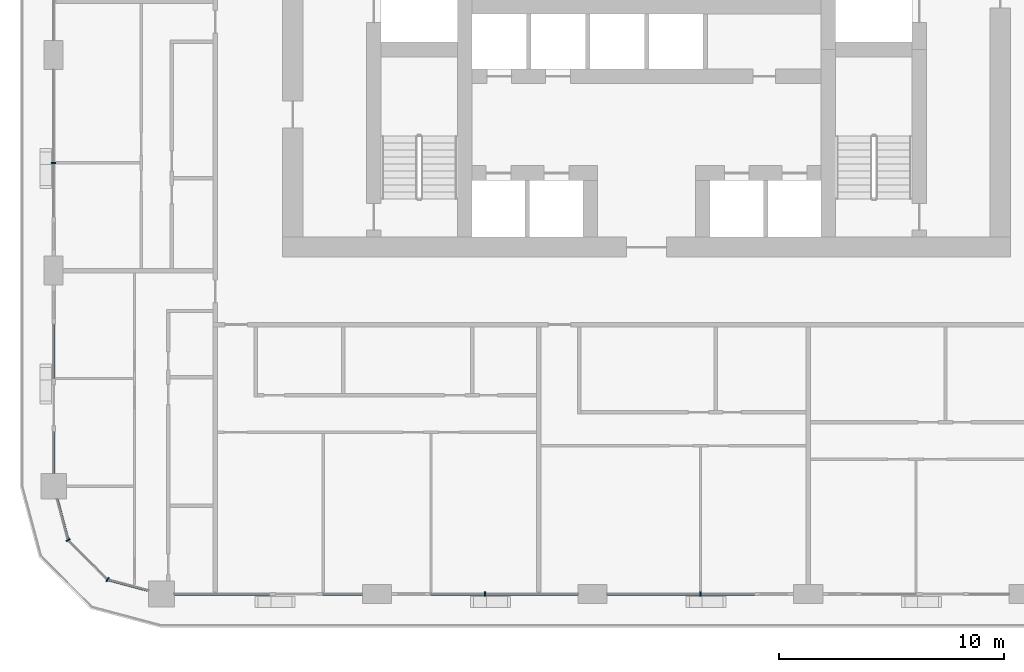
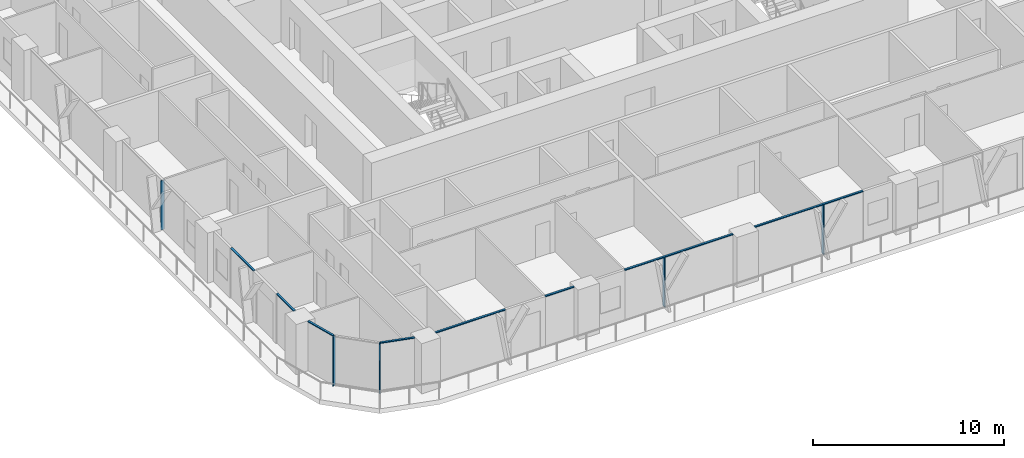
# One storey, part 2 of 22: 13 members, 6 elements without a shape of their own.
"""IFC4 building model written with IfcOpenShell, lengths in metres."""

from ifc_helpers import new_model, si_unit, direction, frame, origin, origin_2d, place, context, subcontext, project, spatial, rectangle, extrude, material, layer, layer_set, material_profile, profile_set, type_object, element, aggregate, save


model = new_model("IFC4")

# Units and contexts
model_context = context("Model", 3, precision=1e-05, world=origin(), true_north=direction((0.0, 1.0)))
body_context = subcontext(model_context, "Body", "Model", "MODEL_VIEW")
ifc_project = project(units=[si_unit("LENGTHUNIT", "METRE"), si_unit("AREAUNIT", "SQUARE_METRE"), si_unit("VOLUMEUNIT", "CUBIC_METRE"), si_unit("PLANEANGLEUNIT", "RADIAN"), si_unit("MASSUNIT", "GRAM", prefix="KILO")], contexts=[model_context])

# Site, building, storey
site_placement = place(None, origin())
site = spatial("IfcSite", under=ifc_project, at=site_placement, CompositionType="ELEMENT")
building_placement = place(site_placement, origin())
building = spatial("IfcBuilding", under=site, at=building_placement, Name="Madar Terraces", CompositionType="ELEMENT")
storey_placement = place(building_placement, frame((0.0, 0.0, 73.300048828125)))
storey = spatial("IfcBuildingStorey", under=building, at=storey_placement, Name="L18", CompositionType="ELEMENT", Elevation=73.300048828125)

# Curtain wall, member
ifc_material_1 = material(Name="Glass, ceramic frit dark grey, with black aluminium frame", Category="aluminium")
ifc_layer = layer(ifc_material_1, 0.199951171875)
ifc_layer_set = layer_set([ifc_layer], Name="Facade curtain wall, fritted glass")
curtain_wall_type = type_object("IfcCurtainWallType", Name="Facade curtain wall, fritted glass", PredefinedType="NOTDEFINED", material=ifc_layer_set)
curtain_wall_1_placement = place(storey_placement, origin())
curtain_wall_1 = element("IfcCurtainWall", 1, at=curtain_wall_1_placement, inside=storey, type_object=curtain_wall_type, Name="Outer skin curtain wall south bay 2", PredefinedType="NOTDEFINED")
ifc_material_2 = material(Name="Aluminium, black anodised", Category="aluminium")
ifc_material_profile_1 = material_profile(ifc_material_2, rectangle(XDim=0.199951171875, YDim=0.06005859375, at=origin_2d()), Name="Facade mullion 60x200")
ifc_profile_set_1 = profile_set([ifc_material_profile_1], Name="Aluminium, black anodised")
member_type_1 = type_object("IfcMemberType", Name="Facade mullion 60x200", PredefinedType="MULLION", material=ifc_profile_set_1)
member_1_placement = place(storey_placement, frame((24.0, 0.0, 0.0), z_axis=(0.0, 0.0, 1.0), x_axis=(0.0, 1.0, 0.0)))
member_1 = element("IfcMember", 2, at=member_1_placement, type_object=member_type_1, Name="Mullion 1", PredefinedType="MULLION", context=body_context, shape_type="SweptSolid", body=[
    extrude(rectangle(XDim=0.199951171875, YDim=0.06005859375, at=origin_2d()), origin(), (0.0, 0.0, 1.0), 3.139892578125),
])

curtain_wall_2_placement = place(storey_placement, origin())
curtain_wall_2 = element("IfcCurtainWall", 3, at=curtain_wall_2_placement, inside=storey, type_object=curtain_wall_type, Name="Outer skin curtain wall south bay 3", PredefinedType="NOTDEFINED")
member_2_placement = place(storey_placement, frame((33.60009765625, 0.0, 0.0), z_axis=(0.0, 0.0, 1.0), x_axis=(0.0, 1.0, 0.0)))
member_2 = element("IfcMember", 4, at=member_2_placement, type_object=member_type_1, Name="Mullion 1", PredefinedType="MULLION", context=body_context, shape_type="SweptSolid", body=[
    extrude(rectangle(XDim=0.199951171875, YDim=0.06005859375, at=origin_2d()), origin(), (0.0, 0.0, 1.0), 3.139892578125),
])

curtain_wall_3_placement = place(storey_placement, origin())
curtain_wall_3 = element("IfcCurtainWall", 5, at=curtain_wall_3_placement, inside=storey, type_object=curtain_wall_type, Name="Outer skin curtain wall west bay 3", PredefinedType="NOTDEFINED")
member_3_placement = place(storey_placement, frame((4.800048828125, 19.199951171875, 0.0), z_axis=(0.0, 0.0, 1.0), x_axis=(1.0, 0.0, 0.0)))
member_3 = element("IfcMember", 6, at=member_3_placement, type_object=member_type_1, Name="Mullion 1", PredefinedType="MULLION", context=body_context, shape_type="SweptSolid", body=[
    extrude(rectangle(XDim=0.199951171875, YDim=0.06005859375, at=origin_2d()), origin(), (0.0, 0.0, 1.0), 3.139892578125),
])
aggregate(curtain_wall_3, [member_3])

# Curtain wall, members
curtain_wall_4_placement = place(storey_placement, origin())
curtain_wall_4 = element("IfcCurtainWall", 7, at=curtain_wall_4_placement, inside=storey, type_object=curtain_wall_type, Name="Outer skin curtain wall south-west corner", PredefinedType="NOTDEFINED")
member_4_placement = place(storey_placement, frame((5.443115234375, 2.39990234375, 0.0), z_axis=(0.0, 0.0, 1.0), x_axis=(0.866025409797, 0.499999989586, 0.0)))
member_4 = element("IfcMember", 8, at=member_4_placement, type_object=member_type_1, Name="Mullion 1", PredefinedType="MULLION", context=body_context, shape_type="SweptSolid", body=[
    extrude(rectangle(XDim=0.199951171875, YDim=0.06005859375, at=origin_2d()), origin(), (0.0, 0.0, 1.0), 3.139892578125),
])
member_5_placement = place(storey_placement, frame((7.199951171875, 0.64306640625, 0.0), z_axis=(0.0, 0.0, 1.0), x_axis=(0.499999989586, 0.866025409797, 0.0)))
member_5 = element("IfcMember", 9, at=member_5_placement, type_object=member_type_1, Name="Mullion 2", PredefinedType="MULLION", context=body_context, shape_type="SweptSolid", body=[
    extrude(rectangle(XDim=0.199951171875, YDim=0.06005859375, at=origin_2d()), origin(), (0.0, 0.0, 1.0), 3.139892578125),
])

curtain_wall_5_placement = place(storey_placement, origin())
curtain_wall_5 = element("IfcCurtainWall", 10, at=curtain_wall_5_placement, inside=storey, type_object=curtain_wall_type, Name="Outer skin curtain wall south bay 1", PredefinedType="NOTDEFINED")
ifc_material_3 = material(Name="Aluminium, black anodised", Category="aluminium")
ifc_material_profile_2 = material_profile(ifc_material_3, rectangle(XDim=0.1201171875, YDim=0.06005859375, at=origin_2d()), Name="Facade transom 60x120")
ifc_profile_set_2 = profile_set([ifc_material_profile_2], Name="Aluminium, black anodised")
member_type_2 = type_object("IfcMemberType", Name="Facade transom 60x120", PredefinedType="USERDEFINED", material=ifc_profile_set_2)
member_6_placement = place(storey_placement, frame((10.175048828125, 0.0, 3.169921875), z_axis=(1.0, 0.0, 0.0), x_axis=(0.0, 1.0, 0.0)))
member_6 = element("IfcMember", 11, at=member_6_placement, type_object=member_type_2, Name="Transom 1", ObjectType="TRANSOM", PredefinedType="USERDEFINED", context=body_context, shape_type="SweptSolid", body=[
    extrude(rectangle(XDim=0.1201171875, YDim=0.06005859375, at=origin_2d()), origin(), (0.0, 0.0, 1.0), 4.224853515625),
])
member_7_placement = place(storey_placement, frame((16.800048828125, 0.0, 3.169921875), z_axis=(1.0, 0.0, 0.0), x_axis=(0.0, 1.0, 0.0)))
member_7 = element("IfcMember", 12, at=member_7_placement, type_object=member_type_2, Name="Transom 2", ObjectType="TRANSOM", PredefinedType="USERDEFINED", context=body_context, shape_type="SweptSolid", body=[
    extrude(rectangle(XDim=0.1201171875, YDim=0.06005859375, at=origin_2d()), origin(), (0.0, 0.0, 1.0), 1.75),
])
aggregate(curtain_wall_5, [member_6, member_7])

# Member
member_8_placement = place(storey_placement, frame((21.60009765625, 0.0, 3.169921875), z_axis=(1.0, 0.0, 0.0), x_axis=(0.0, 1.0, 0.0)))
member_8 = element("IfcMember", 13, at=member_8_placement, type_object=member_type_2, Name="Transom 1", ObjectType="TRANSOM", PredefinedType="USERDEFINED", context=body_context, shape_type="SweptSolid", body=[
    extrude(rectangle(XDim=0.1201171875, YDim=0.06005859375, at=origin_2d()), origin(), (0.0, 0.0, 1.0), 6.5498046875),
])

aggregate(curtain_wall_1, [member_1, member_8])

member_9_placement = place(storey_placement, frame((29.449951171875, 0.0, 3.169921875), z_axis=(1.0, 0.0, 0.0), x_axis=(0.0, 1.0, 0.0)))
member_9 = element("IfcMember", 14, at=member_9_placement, type_object=member_type_2, Name="Transom 1", ObjectType="TRANSOM", PredefinedType="USERDEFINED", context=body_context, shape_type="SweptSolid", body=[
    extrude(rectangle(XDim=0.1201171875, YDim=0.06005859375, at=origin_2d()), origin(), (0.0, 0.0, 1.0), 6.550048828125),
])

aggregate(curtain_wall_2, [member_2, member_9])

# Curtain wall, members
curtain_wall_6_placement = place(storey_placement, origin())
curtain_wall_6 = element("IfcCurtainWall", 15, at=curtain_wall_6_placement, inside=storey, type_object=curtain_wall_type, Name="Outer skin curtain wall west bay 4", PredefinedType="NOTDEFINED")
member_10_placement = place(storey_placement, frame((4.800048828125, 12.0, 3.169921875), z_axis=(0.0, -1.0, 0.0), x_axis=(1.0, 0.0, 0.0)))
member_10 = element("IfcMember", 16, at=member_10_placement, type_object=member_type_2, Name="Transom 1", ObjectType="TRANSOM", PredefinedType="USERDEFINED", context=body_context, shape_type="SweptSolid", body=[
    extrude(rectangle(XDim=0.1201171875, YDim=0.06005859375, at=origin_2d()), origin(), (0.0, 0.0, 1.0), 2.39990234375),
])
member_11_placement = place(storey_placement, frame((4.800048828125, 7.199951171875, 3.169921875), z_axis=(0.0, -1.0, 0.0), x_axis=(1.0, 0.0, 0.0)))
member_11 = element("IfcMember", 17, at=member_11_placement, type_object=member_type_2, Name="Transom 2", ObjectType="TRANSOM", PredefinedType="USERDEFINED", context=body_context, shape_type="SweptSolid", body=[
    extrude(rectangle(XDim=0.1201171875, YDim=0.06005859375, at=origin_2d()), origin(), (0.0, 0.0, 1.0), 1.824951171875),
])
aggregate(curtain_wall_6, [member_10, member_11])

# Member
member_12_placement = place(storey_placement, frame((4.9541015625, 4.22509765625, 3.169921875), z_axis=(0.258782024434, -0.965935745187, 0.0), x_axis=(0.965935745187, 0.258782024434, 0.0)))
member_12 = element("IfcMember", 18, at=member_12_placement, type_object=member_type_2, Name="Transom 1", ObjectType="TRANSOM", PredefinedType="USERDEFINED", context=body_context, shape_type="SweptSolid", body=[
    extrude(rectangle(XDim=0.1201171875, YDim=0.06005859375, at=origin_2d()), origin(), (0.0, 0.0, 1.0), 1.859375),
])

member_13_placement = place(storey_placement, frame((7.22900390625, 0.63525390625, 3.169921875), z_axis=(0.965926950947, -0.258814847786, 0.0), x_axis=(0.258814847786, 0.965926950947, 0.0)))
member_13 = element("IfcMember", 19, at=member_13_placement, type_object=member_type_2, Name="Transom 3", ObjectType="TRANSOM", PredefinedType="USERDEFINED", context=body_context, shape_type="SweptSolid", body=[
    extrude(rectangle(XDim=0.1201171875, YDim=0.06005859375, at=origin_2d()), origin(), (0.0, 0.0, 1.0), 1.859130859375),
])

aggregate(curtain_wall_4, [member_4, member_12, member_5, member_13])

save(model, "model.ifc")
